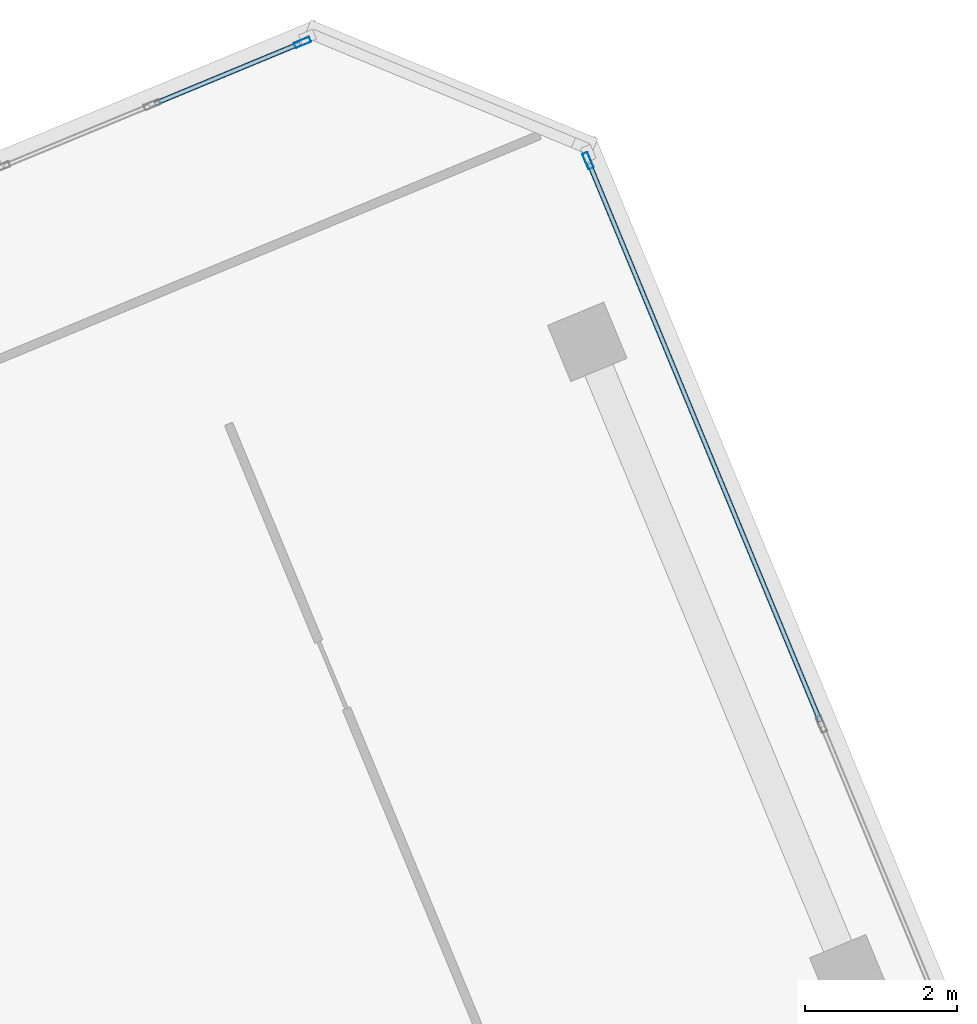
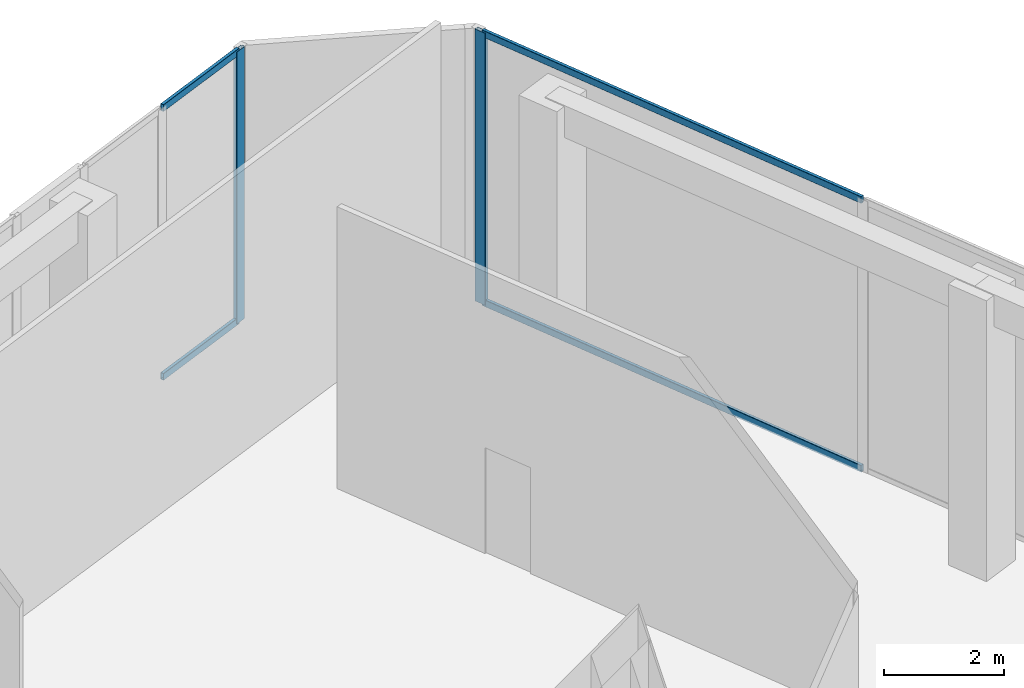
# One storey, part 9 of 16: 6 members, 2 elements without a shape of their own.
"""IFC4 building model written with IfcOpenShell, lengths in metres."""

from ifc_helpers import new_model, si_unit, direction, frame, origin, origin_2d, place, context, subcontext, project, spatial, hollow_rectangle, extrude, source, transform, mapped, material, material_profile, profile_set, type_object, element, aggregate, save


model = new_model("IFC4")

# Units and contexts
model_context = context("Model", 3, precision=1e-05, world=origin(), true_north=direction((0.0, 1.0)))
body_context = subcontext(model_context, "Body", "Model", "MODEL_VIEW")
ifc_project = project(units=[si_unit("LENGTHUNIT", "METRE"), si_unit("AREAUNIT", "SQUARE_METRE"), si_unit("VOLUMEUNIT", "CUBIC_METRE"), si_unit("PLANEANGLEUNIT", "RADIAN"), si_unit("MASSUNIT", "GRAM", prefix="KILO")], contexts=[model_context])

# Site, building, storey
site_placement = place(None, origin())
site = spatial("IfcSite", under=ifc_project, at=site_placement, CompositionType="ELEMENT")
building_placement = place(site_placement, origin())
building = spatial("IfcBuilding", under=site, at=building_placement, Name="Torre Montelarca", CompositionType="ELEMENT")
storey_placement = place(building_placement, frame((0.0, 0.0, 360.0)))
storey = spatial("IfcBuildingStorey", under=building, at=storey_placement, Name="L81", CompositionType="ELEMENT", Elevation=360.0)

# Curtain wall, member
ifc_material_1 = material(Name="Insulated low-E laminated glass", Category="glass")
curtain_wall_type = type_object("IfcCurtainWallType", Name="CW-SYS-Z4", PredefinedType="USERDEFINED", material=ifc_material_1)
curtain_wall_1_placement = place(storey_placement, origin())
curtain_wall_1 = element("IfcCurtainWall", 1, at=curtain_wall_1_placement, inside=storey, type_object=curtain_wall_type, Name="L81 Curtain Wall Run CW-T3-L81-E08-B1", ObjectType="UNITISED GLAZING", PredefinedType="USERDEFINED")
ifc_material_2 = material(Name="Anodised aluminium AA 6063-T6", Category="aluminium")
ifc_material_profile_1 = material_profile(ifc_material_2, hollow_rectangle(XDim=0.074951171875, YDim=0.219970703125, WallThickness=0.0048828125, InnerFilletRadius=0.0048828125, OuterFilletRadius=0.010009765625, at=origin_2d()), Name="ALU75X220X5", Category="aluminium")
ifc_profile_set_1 = profile_set([ifc_material_profile_1], Name="Anodised aluminium AA 6063-T6")
member_type_1 = type_object("IfcMemberType", Name="CWM-ALU220", PredefinedType="MULLION", material=ifc_profile_set_1)
shared_shape_1 = source(origin(), body_context, "Body", "SweptSolid", [
    extrude(hollow_rectangle(XDim=0.074951171875, YDim=0.219970703125, WallThickness=0.0048828125, InnerFilletRadius=0.0048828125, OuterFilletRadius=0.010009765625, at=origin_2d()), origin(), (0.0, 0.0, 1.0), 5.52001953125),
])
member_1_placement = place(storey_placement, frame((30.72265625, 51.7275390625, 0.0), z_axis=(0.0, 0.0, 1.0), x_axis=(-0.9238811263, -0.382679584596, 0.0)))
member_1 = element("IfcMember", 2, at=member_1_placement, type_object=member_type_1, Name="CW mullion 4", PredefinedType="MULLION", context=body_context, shape_type="MappedRepresentation", body=[
    mapped(shared_shape_1, transform((0.0, 0.0, 0.0), scale=1.0)),
])

curtain_wall_2_placement = place(storey_placement, origin())
curtain_wall_2 = element("IfcCurtainWall", 3, at=curtain_wall_2_placement, inside=storey, type_object=curtain_wall_type, Name="L81 Curtain Wall Run CW-T3-L81-E10-B1", ObjectType="UNITISED GLAZING", PredefinedType="USERDEFINED")
member_2_placement = place(storey_placement, frame((26.96826171875, 53.28271484375, 0.0), z_axis=(0.0, 0.0, 1.0), x_axis=(0.382672278548, -0.923884152495, 0.0)))
member_2 = element("IfcMember", 4, at=member_2_placement, type_object=member_type_1, Name="CW mullion 1", PredefinedType="MULLION", context=body_context, shape_type="MappedRepresentation", body=[
    mapped(shared_shape_1, transform((0.0, 0.0, 0.0), scale=1.0)),
])

# Member
ifc_material_profile_2 = material_profile(ifc_material_2, hollow_rectangle(XDim=0.06494140625, YDim=0.139892578125, WallThickness=0.00390625, InnerFilletRadius=0.00390625, OuterFilletRadius=0.008056640625, at=origin_2d()), Name="ALU65X140X4", Category="aluminium")
ifc_profile_set_2 = profile_set([ifc_material_profile_2], Name="Anodised aluminium AA 6063-T6")
member_type_2 = type_object("IfcMemberType", Name="CWT-ALU140", PredefinedType="USERDEFINED", material=ifc_profile_set_2)
shared_shape_2 = source(origin(), body_context, "Body", "SweptSolid", [
    extrude(hollow_rectangle(XDim=0.06494140625, YDim=0.139892578125, WallThickness=0.00390625, InnerFilletRadius=0.00390625, OuterFilletRadius=0.008056640625, at=origin_2d()), origin(), (0.0, 0.0, 1.0), 7.94384765625),
])
member_3_placement = place(storey_placement, frame((33.77685546875, 44.35400390625, 0.032470703125), z_axis=(-0.382665753993, 0.923886854935, 0.0), x_axis=(-0.923886854935, -0.382665753993, 0.0)))
member_3 = element("IfcMember", 5, at=member_3_placement, type_object=member_type_2, Name="CW transom 3.1", ObjectType="TRANSOM", PredefinedType="USERDEFINED", context=body_context, shape_type="MappedRepresentation", body=[
    mapped(shared_shape_2, transform((0.0, 0.0, 0.0), scale=1.0)),
])

member_4_placement = place(storey_placement, frame((33.77685546875, 44.35400390625, 5.487548828125), z_axis=(-0.382665753993, 0.923886854935, 0.0), x_axis=(-0.923886854935, -0.382665753993, 0.0)))
member_4 = element("IfcMember", 6, at=member_4_placement, type_object=member_type_2, Name="CW transom 3.2", ObjectType="TRANSOM", PredefinedType="USERDEFINED", context=body_context, shape_type="MappedRepresentation", body=[
    mapped(shared_shape_2, transform((0.0, 0.0, 0.0), scale=1.0)),
])

aggregate(curtain_wall_1, [member_1, member_3, member_4])

shared_shape_3 = source(origin(), body_context, "Body", "SweptSolid", [
    extrude(hollow_rectangle(XDim=0.06494140625, YDim=0.139892578125, WallThickness=0.00390625, InnerFilletRadius=0.00390625, OuterFilletRadius=0.008056640625, at=origin_2d()), origin(), (0.0, 0.0, 1.0), 2.064453125),
])
member_5_placement = place(storey_placement, frame((26.93359375, 53.268310546875, 0.032470703125), z_axis=(-0.923872689736, -0.382699951867, 0.0), x_axis=(0.382699951867, -0.923872689736, 0.0)))
member_5 = element("IfcMember", 7, at=member_5_placement, type_object=member_type_2, Name="CW transom 1.1", ObjectType="TRANSOM", PredefinedType="USERDEFINED", context=body_context, shape_type="MappedRepresentation", body=[
    mapped(shared_shape_3, transform((0.0, 0.0, 0.0), scale=1.0)),
])

member_6_placement = place(storey_placement, frame((26.93359375, 53.268310546875, 5.487548828125), z_axis=(-0.923872689736, -0.382699951867, 0.0), x_axis=(0.382699951867, -0.923872689736, 0.0)))
member_6 = element("IfcMember", 8, at=member_6_placement, type_object=member_type_2, Name="CW transom 1.2", ObjectType="TRANSOM", PredefinedType="USERDEFINED", context=body_context, shape_type="MappedRepresentation", body=[
    mapped(shared_shape_3, transform((0.0, 0.0, 0.0), scale=1.0)),
])

aggregate(curtain_wall_2, [member_2, member_5, member_6])

save(model, "model.ifc")
